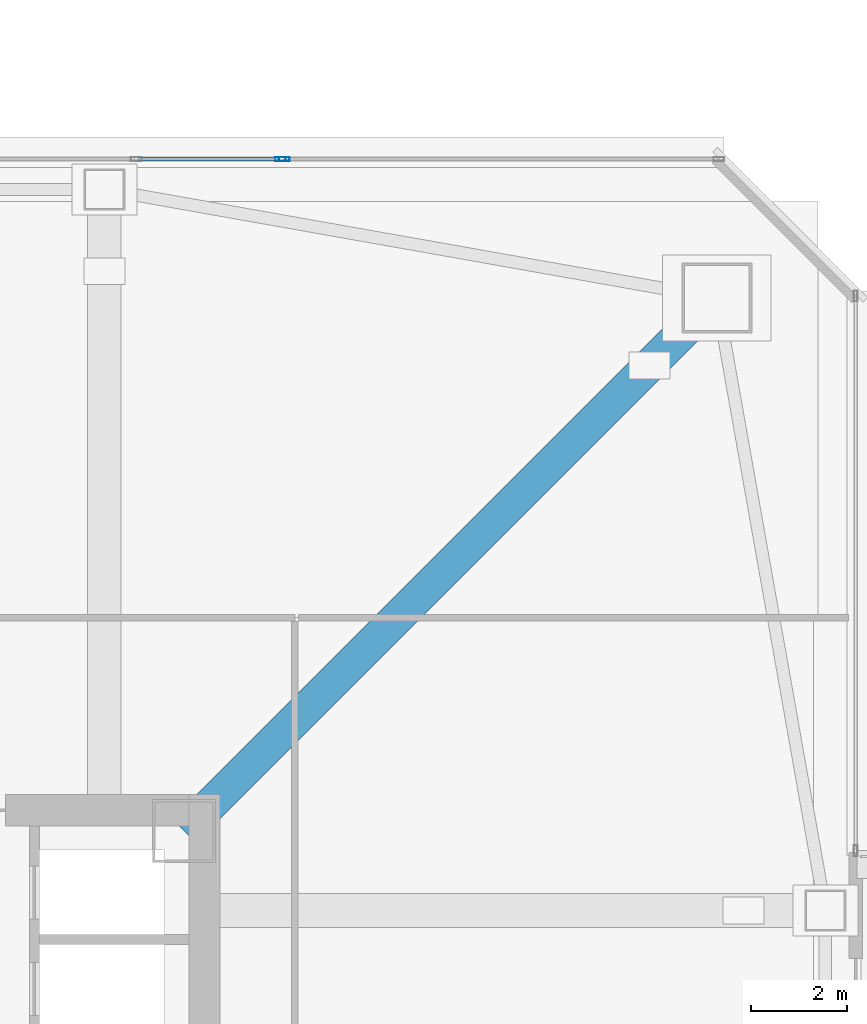
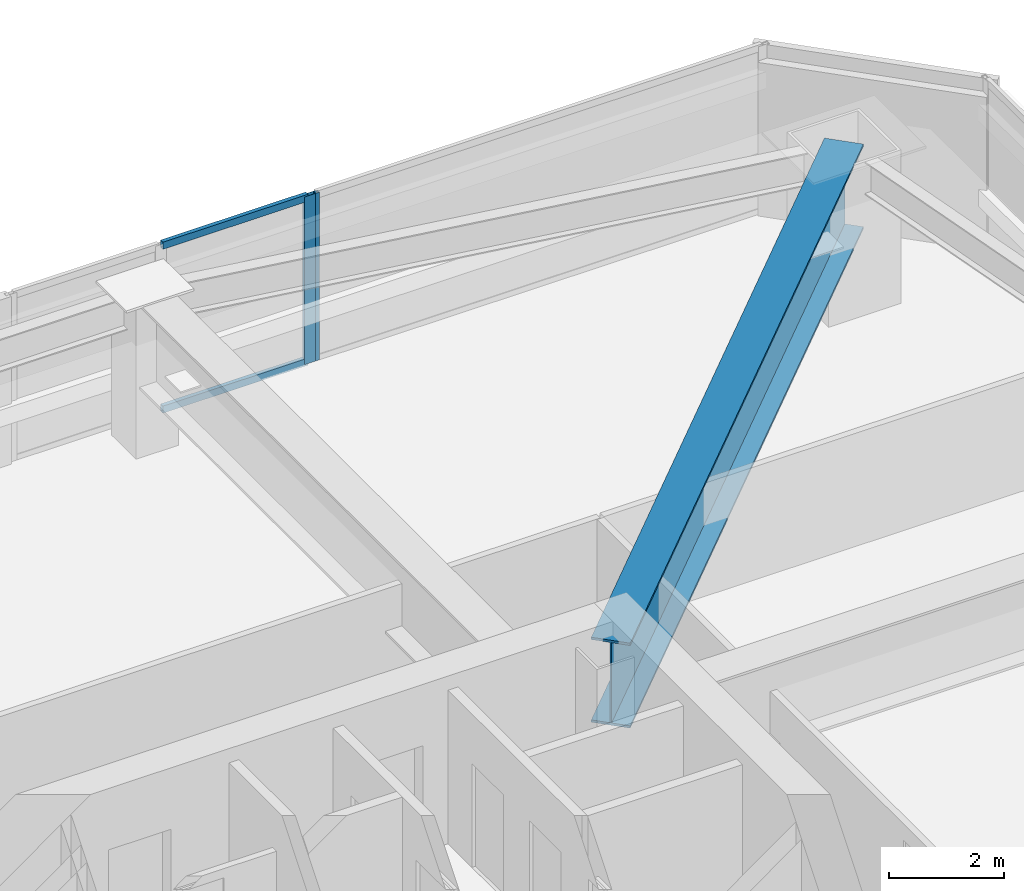
# One storey, part 14 of 49: 4 members, 1 beam, 2 elements without a shape of their own.
"""IFC4 building model written with IfcOpenShell, lengths in metres."""

from ifc_helpers import new_model, si_unit, direction, frame, origin, origin_2d, place, context, subcontext, project, spatial, hollow_rectangle, i_section, extrude, material, material_profile, profile_set, type_object, element, aggregate, save


model = new_model("IFC4")

# Units and contexts
model_context = context("Model", 3, precision=1e-05, world=origin(), true_north=direction((0.0, 1.0)))
body_context = subcontext(model_context, "Body", "Model", "MODEL_VIEW")
ifc_project = project(units=[si_unit("LENGTHUNIT", "METRE"), si_unit("AREAUNIT", "SQUARE_METRE"), si_unit("VOLUMEUNIT", "CUBIC_METRE"), si_unit("PLANEANGLEUNIT", "RADIAN"), si_unit("MASSUNIT", "GRAM", prefix="KILO")], contexts=[model_context])

# Site, building, storey
site_placement = place(None, origin())
site = spatial("IfcSite", under=ifc_project, at=site_placement, CompositionType="ELEMENT")
building_placement = place(site_placement, origin())
building = spatial("IfcBuilding", under=site, at=building_placement, Name="Tashvorn Skyway Center", CompositionType="ELEMENT")
storey_placement = place(building_placement, frame((0.0, 0.0, 106.25)))
storey = spatial("IfcBuildingStorey", under=building, at=storey_placement, Name="L28", CompositionType="ELEMENT", Elevation=106.25)

# Beam
ifc_material_1 = material(Name="Steel ASTM A572 Grade 50", Category="steel")
ifc_material_profile_1 = material_profile(ifc_material_1, i_section(OverallWidth=0.699951171875, OverallDepth=1.800048828125, WebThickness=0.031982421875, FlangeThickness=0.050048828125, at=origin_2d()), Name="PG1800x700")
ifc_profile_set_1 = profile_set([ifc_material_profile_1], Name="Steel ASTM A572 Grade 50")
beam_type = type_object("IfcBeamType", Name="BM-BEAM-PG1800x700", PredefinedType="BEAM", material=ifc_profile_set_1)
beam_placement = place(storey_placement, frame((60.10009765625, 50.10009765625, 2.35009765625), z_axis=(-0.707106781187, -0.707106781187, 0.0), x_axis=(0.707106781187, -0.707106781187, 0.0)))
element("IfcBeam", 1, at=beam_placement, inside=storey, type_object=beam_type, Name="Tower 1 L28 Setback Transfer Girder MC-NE", PredefinedType="BEAM", context=body_context, shape_type="SweptSolid", body=[
    extrude(i_section(OverallWidth=0.699951171875, OverallDepth=1.800048828125, WebThickness=0.031982421875, FlangeThickness=0.050048828125, at=origin_2d()), origin(), (0.0, 0.0, 1.0), 15.627197265625),
])

# Curtain wall, member
ifc_material_2 = material(Name="Thermally broken bronze-anodized aluminium 6063-T6", Category="aluminium")
curtain_wall_type = type_object("IfcCurtainWallType", Name="CW-CW-Z2", PredefinedType="NOTDEFINED", material=ifc_material_2)
curtain_wall_1_placement = place(storey_placement, origin())
curtain_wall_1 = element("IfcCurtainWall", 2, at=curtain_wall_1_placement, inside=storey, type_object=curtain_wall_type, Name="Tower 1 L28 North Unitised Curtain Wall Glazing Group 3", PredefinedType="NOTDEFINED")
ifc_material_profile_2 = material_profile(ifc_material_2, hollow_rectangle(XDim=0.080078125, YDim=0.219970703125, WallThickness=0.0048828125, at=origin_2d()), Name="ALU-MULL-80x220")
ifc_profile_set_2 = profile_set([ifc_material_profile_2], Name="Thermally broken bronze-anodized aluminium 6063-T6")
member_type_1 = type_object("IfcMemberType", Name="CWM-CW-Z2", PredefinedType="MULLION", material=ifc_profile_set_2)
member_1_placement = place(storey_placement, frame((51.050048828125, 52.97998046875, 0.0), z_axis=(0.0, 0.0, 1.0), x_axis=(0.0, 1.0, 0.0)))
member_1 = element("IfcMember", 3, at=member_1_placement, type_object=member_type_1, Name="CW-Z2 mullion 3", PredefinedType="MULLION", context=body_context, shape_type="SweptSolid", body=[
    extrude(hollow_rectangle(XDim=0.080078125, YDim=0.219970703125, WallThickness=0.0048828125, at=origin_2d()), origin(), (0.0, 0.0, 1.0), 3.550048828125),
])

curtain_wall_2_placement = place(storey_placement, origin())
curtain_wall_2 = element("IfcCurtainWall", 4, at=curtain_wall_2_placement, inside=storey, type_object=curtain_wall_type, Name="Tower 1 L28 North Unitised Curtain Wall Glazing Group 4", PredefinedType="NOTDEFINED")
member_2_placement = place(storey_placement, frame((51.1298828125, 52.97998046875, 0.0), z_axis=(0.0, 0.0, 1.0), x_axis=(0.0, 1.0, 0.0)))
member_2 = element("IfcMember", 5, at=member_2_placement, type_object=member_type_1, Name="CW-Z2 mullion 1", PredefinedType="MULLION", context=body_context, shape_type="SweptSolid", body=[
    extrude(hollow_rectangle(XDim=0.080078125, YDim=0.219970703125, WallThickness=0.0048828125, at=origin_2d()), origin(), (0.0, 0.0, 1.0), 3.550048828125),
])
aggregate(curtain_wall_2, [member_2])

# Member
ifc_material_profile_3 = material_profile(ifc_material_2, hollow_rectangle(XDim=0.080078125, YDim=0.14990234375, WallThickness=0.00439453125, at=origin_2d()), Name="ALU-TRAN-80x150")
ifc_profile_set_3 = profile_set([ifc_material_profile_3], Name="Thermally broken bronze-anodized aluminium 6063-T6")
member_type_2 = type_object("IfcMemberType", Name="CWT-CW-Z2", PredefinedType="USERDEFINED", material=ifc_profile_set_3)
member_3_placement = place(storey_placement, frame((48.10009765625, 52.97998046875, 0.0400390625), z_axis=(1.0, 0.0, 0.0), x_axis=(0.0, 1.0, 0.0)))
member_3 = element("IfcMember", 6, at=member_3_placement, type_object=member_type_2, Name="CW-Z2 transom 2.1", ObjectType="TRANSOM", PredefinedType="USERDEFINED", context=body_context, shape_type="SweptSolid", body=[
    extrude(hollow_rectangle(XDim=0.080078125, YDim=0.14990234375, WallThickness=0.00439453125, at=origin_2d()), origin(), (0.0, 0.0, 1.0), 2.909912109375),
])

member_4_placement = place(storey_placement, frame((48.10009765625, 52.97998046875, 3.510009765625), z_axis=(1.0, 0.0, 0.0), x_axis=(0.0, 1.0, 0.0)))
member_4 = element("IfcMember", 7, at=member_4_placement, type_object=member_type_2, Name="CW-Z2 transom 2.2", ObjectType="TRANSOM", PredefinedType="USERDEFINED", context=body_context, shape_type="SweptSolid", body=[
    extrude(hollow_rectangle(XDim=0.080078125, YDim=0.14990234375, WallThickness=0.00439453125, at=origin_2d()), origin(), (0.0, 0.0, 1.0), 2.909912109375),
])

aggregate(curtain_wall_1, [member_1, member_3, member_4])

save(model, "model.ifc")
